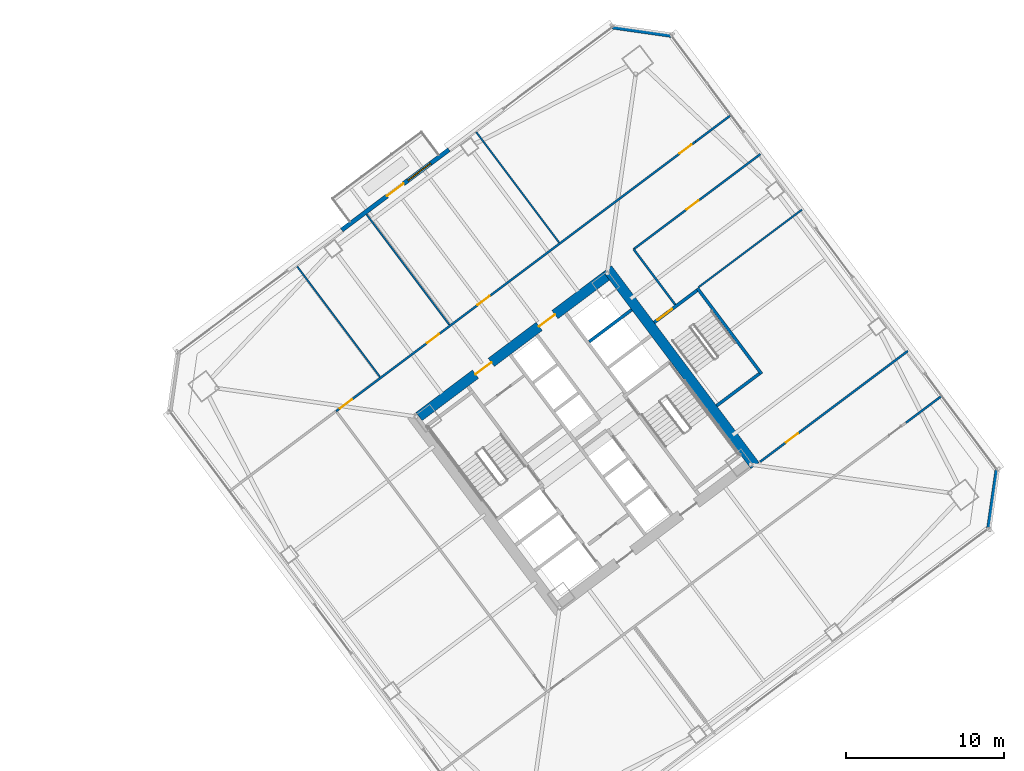
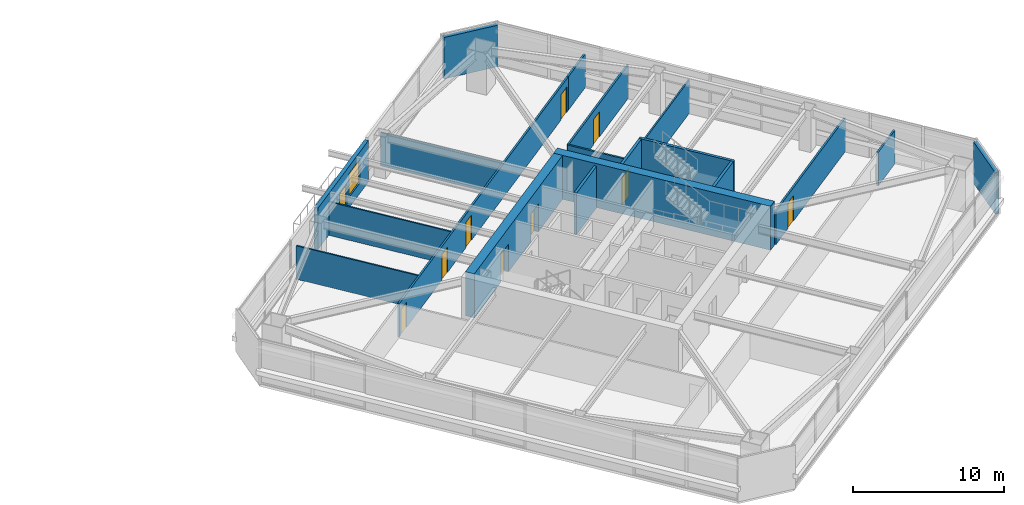
# One storey, part 36 of 44: 19 walls, 10 doors, 1 window, 11 openings.
"""IFC4 building model written with IfcOpenShell, lengths in metres."""

from ifc_helpers import new_model, si_unit, direction, frame, frame_2d, origin, place, context, subcontext, project, spatial, rectangle, extrude, material, layer, layer_set, type_object, element, fill, save


model = new_model("IFC4")

# Units and contexts
model_context = context("Model", 3, precision=1e-05, world=origin(), true_north=direction((0.0, 1.0)))
body_context = subcontext(model_context, "Body", "Model", "MODEL_VIEW")
ifc_project = project(units=[si_unit("LENGTHUNIT", "METRE"), si_unit("AREAUNIT", "SQUARE_METRE"), si_unit("VOLUMEUNIT", "CUBIC_METRE"), si_unit("PLANEANGLEUNIT", "RADIAN"), si_unit("MASSUNIT", "GRAM", prefix="KILO")], contexts=[model_context])

# Site, building, storey
site_placement = place(None, origin())
site = spatial("IfcSite", under=ifc_project, at=site_placement, CompositionType="ELEMENT")
building_placement = place(site_placement, origin())
building = spatial("IfcBuilding", under=site, at=building_placement, Name="Tashvorn Skyway Center", CompositionType="ELEMENT")
storey_placement = place(building_placement, frame((0.0, 0.0, 92.050048828125)))
storey = spatial("IfcBuildingStorey", under=building, at=storey_placement, Name="L24", CompositionType="ELEMENT", Elevation=92.050048828125)

# Wall
ifc_material_1 = material(Name="Concrete C60/75", Category="concrete")
ifc_layer_1 = layer(ifc_material_1, 0.64990234375)
ifc_layer_set_1 = layer_set([ifc_layer_1], Name="Concrete C60/75")
wall_type_1 = type_object("IfcWallType", Name="WALL-CORE-650", PredefinedType="SHEAR", material=ifc_layer_set_1)
wall_1_placement = place(storey_placement, frame((115.52392578125, 42.89306640625, 0.0), z_axis=(0.0, 0.0, 1.0), x_axis=(0.600005007985, -0.799996243986, 0.0)))
element("IfcWall", 1, at=wall_1_placement, inside=storey, type_object=wall_type_1, Name="Tower 2 L24 East Core Shear Wall", PredefinedType="SHEAR", context=body_context, shape_type="SweptSolid", body=[
    extrude(rectangle(XDim=15.60009765625, YDim=0.64990234375, at=frame_2d((7.800048828125, 0.0))), origin(), (0.0, 0.0, 1.0), 3.550048828125),
])

# Wall, openings, doors
wall_2_placement = place(storey_placement, frame((103.571044921875, 33.52197265625, 0.0), z_axis=(0.0, 0.0, 1.0), x_axis=(0.799998028465, 0.600002628705, 0.0)))
wall_2 = element("IfcWall", 2, at=wall_2_placement, inside=storey, type_object=wall_type_1, Name="Tower 2 L24 North Core Shear Wall", PredefinedType="SHEAR", context=body_context, shape_type="SweptSolid", body=[
    extrude(rectangle(XDim=14.85986328125, YDim=0.64990234375, at=frame_2d((7.429931640625, 0.0))), origin(), (0.0, 0.0, 1.0), 3.550048828125),
])
opening_1_placement = place(wall_2_placement, frame((4.47998046875, 0.0, 0.0)))
opening_1 = element("IfcOpeningElement", 3, at=opening_1_placement, cuts=wall_2, Name="Opening D-FFL-1250", PredefinedType="OPENING", context=body_context, shape_type="SweptSolid", body=[
    extrude(rectangle(XDim=1.25, YDim=2.25, at=frame_2d((0.625, 1.125))), frame((0.0, 0.3349609375, 0.0), z_axis=(0.0, -1.0, 0.0), x_axis=(1.0, 0.0, 0.0)), (0.0, 0.0, 1.0), 0.669921875),
])
opening_2_placement = place(wall_2_placement, frame((9.530029296875, 0.0, 0.0)))
opening_2 = element("IfcOpeningElement", 4, at=opening_2_placement, cuts=wall_2, Name="Opening D-FFL-1250", PredefinedType="OPENING", context=body_context, shape_type="SweptSolid", body=[
    extrude(rectangle(XDim=1.25, YDim=2.25, at=frame_2d((0.625, 1.125))), frame((0.0, 0.3349609375, 0.0), z_axis=(0.0, -1.0, 0.0), x_axis=(1.0, 0.0, 0.0)), (0.0, 0.0, 1.0), 0.669921875),
])
ifc_material_2 = material(Name="Hollow galvanized steel fire door assembly", Category="steel")
door_type_1 = type_object("IfcDoorType", Name="DOOR-FFL-1250", OperationType="NOTDEFINED", PredefinedType="DOOR", material=ifc_material_2)
door_1_placement = place(opening_1_placement, origin())
door_1 = element("IfcDoor", 5, at=door_1_placement, inside=storey, type_object=door_type_1, Name="Tower 2 L24 Core North Service Lobby Door", OperationType="SINGLE_SWING_LEFT", OverallHeight=2.25, OverallWidth=1.25, PredefinedType="DOOR", context=body_context, shape_type="SweptSolid", body=[
    extrude(rectangle(XDim=1.25, YDim=2.25, at=frame_2d((0.625, 1.125))), frame((0.0, 0.02490234375, 0.0), z_axis=(0.0, -1.0, 0.0), x_axis=(1.0, 0.0, 0.0)), (0.0, 0.0, 1.0), 0.050048828125),
])
fill(opening_1, door_1)
door_2_placement = place(opening_2_placement, origin())
door_2 = element("IfcDoor", 6, at=door_2_placement, inside=storey, type_object=door_type_1, Name="Tower 2 L24 Core North Lift Lobby Door", OperationType="SINGLE_SWING_RIGHT", OverallHeight=2.25, OverallWidth=1.25, PredefinedType="DOOR", context=body_context, shape_type="SweptSolid", body=[
    extrude(rectangle(XDim=1.25, YDim=2.25, at=frame_2d((0.625, 1.125))), frame((0.0, 0.02490234375, 0.0), z_axis=(0.0, -1.0, 0.0), x_axis=(1.0, 0.0, 0.0)), (0.0, 0.0, 1.0), 0.050048828125),
])
fill(opening_2, door_2)

# Wall, openings, door, window
ifc_material_3 = material(Name="Precast concrete C40/50", Category="concrete")
ifc_layer_2 = layer(ifc_material_3, 0.280029296875)
ifc_layer_set_2 = layer_set([ifc_layer_2], Name="Precast concrete C40/50")
wall_type_2 = type_object("IfcWallType", Name="WALL-EXT-280", PredefinedType="SOLIDWALL", material=ifc_layer_set_2)
wall_3_placement = place(storey_placement, frame((98.672119140625, 45.35400390625, 0.0), z_axis=(0.0, 0.0, 1.0), x_axis=(0.799986212866, 0.600018382406, 0.0)))
wall_3 = element("IfcWall", 7, at=wall_3_placement, inside=storey, type_object=wall_type_2, Name="Tower 2 L24 North Terrace Portal Wall", PredefinedType="SOLIDWALL", context=body_context, shape_type="SweptSolid", body=[
    extrude(rectangle(XDim=8.5, YDim=0.280029296875, at=frame_2d((4.25, 0.0))), origin(), (0.0, 0.0, 1.0), 3.349853515625),
])
opening_3_placement = place(wall_3_placement, frame((3.60009765625, 0.0, 0.0)))
opening_3 = element("IfcOpeningElement", 8, at=opening_3_placement, cuts=wall_3, Name="Opening D-TER-1300", PredefinedType="OPENING", context=body_context, shape_type="SweptSolid", body=[
    extrude(rectangle(XDim=1.300048828125, YDim=2.14990234375, at=frame_2d((0.64990234375, 1.074951171875))), frame((0.0, 0.14990234375, 0.0), z_axis=(0.0, -1.0, 0.0), x_axis=(1.0, 0.0, 0.0)), (0.0, 0.0, 1.0), 0.300048828125),
])
opening_4_placement = place(wall_3_placement, frame((5.239990234375, 0.0, 0.85009765625)))
opening_4 = element("IfcOpeningElement", 9, at=opening_4_placement, cuts=wall_3, Name="Opening WIN-1800", PredefinedType="OPENING", context=body_context, shape_type="SweptSolid", body=[
    extrude(rectangle(XDim=1.800048828125, YDim=1.919921875, at=frame_2d((0.89990234375, 0.9599609375))), frame((0.0, 0.14990234375, 0.0), z_axis=(0.0, -1.0, 0.0), x_axis=(1.0, 0.0, 0.0)), (0.0, 0.0, 1.0), 0.300048828125),
])
ifc_material_4 = material(Name="Thermally broken bronze-anodized aluminium 6063-T6", Category="aluminium")
door_type_2 = type_object("IfcDoorType", Name="DOOR-TERR-1300", OperationType="NOTDEFINED", PredefinedType="DOOR", material=ifc_material_4)
door_3_placement = place(opening_3_placement, origin())
door_3 = element("IfcDoor", 10, at=door_3_placement, inside=storey, type_object=door_type_2, Name="Tower 2 L24 Terrace Access Door", OperationType="SINGLE_SWING_LEFT", OverallHeight=2.14990234375, OverallWidth=1.300048828125, PredefinedType="DOOR", context=body_context, shape_type="SweptSolid", body=[
    extrude(rectangle(XDim=1.300048828125, YDim=2.14990234375, at=frame_2d((0.64990234375, 1.074951171875))), frame((0.0, 0.02490234375, 0.0), z_axis=(0.0, -1.0, 0.0), x_axis=(1.0, 0.0, 0.0)), (0.0, 0.0, 1.0), 0.050048828125),
])
fill(opening_3, door_3)
ifc_material_5 = material(Name="Low-E solar-control double insulating safety glass", Category="glass")
window_type = type_object("IfcWindowType", Name="WIN-TERR-1800", PartitioningType="SINGLE_PANEL", PredefinedType="WINDOW", material=ifc_material_5)
window_placement = place(opening_4_placement, origin())
window = element("IfcWindow", 11, at=window_placement, inside=storey, type_object=window_type, Name="Tower 2 L24 Terrace Window", OverallHeight=1.919921875, OverallWidth=1.800048828125, PartitioningType="SINGLE_PANEL", PredefinedType="WINDOW", context=body_context, shape_type="SweptSolid", body=[
    extrude(rectangle(XDim=1.800048828125, YDim=1.919921875, at=frame_2d((0.89990234375, 0.9599609375))), frame((0.0, 0.030029296875, 0.0), z_axis=(0.0, -1.0, 0.0), x_axis=(1.0, 0.0, 0.0)), (0.0, 0.0, 1.0), 0.06005859375),
])
fill(opening_4, window)

# Walls
for number, where, z_axis, x_axis, name in (
    (12, (115.820068359375, 58.239990234375, 0.0), (0.0, 0.0, 1.0), (0.989948214866, -0.141430307517, 0.0), "Tower 2 L24 NE Precast Chamfer Wall"),
    (13, (140.239990234375, 30.179931640625, 0.0), (0.0, 0.0, 1.0), (-0.141430307517, -0.989948214866, 0.0), "Tower 2 L24 SE Precast Chamfer Wall"),
):
    element("IfcWall", number, at=place(storey_placement, frame(where, z_axis=z_axis, x_axis=x_axis)), inside=storey, type_object=wall_type_2, Name=name, PredefinedType="SOLIDWALL", context=body_context, shape_type="SweptSolid", body=[
        extrude(rectangle(XDim=3.818359375, YDim=0.280029296875, at=frame_2d((1.9091796875, 0.0))), origin(), (0.0, 0.0, 1.0), 3.349853515625),
    ])
ifc_material_6 = material(Name="Gypsum board on cold-formed steel stud framing", Category="steel")
ifc_layer_3 = layer(ifc_material_6, 0.110107421875)
ifc_layer_set_3 = layer_set([ifc_layer_3], Name="Gypsum board on cold-formed steel stud framing")
wall_type_3 = type_object("IfcWallType", Name="WALL-PART-110", PredefinedType="PARTITIONING", material=ifc_layer_set_3)
for number, where, z_axis, x_axis, name in (
    (14, (101.092041015625, 36.0439453125, 0.0), (0.0, 0.0, 1.0), (-0.6, 0.8, 0.0), "Tower 2 L24 North Suite Partition 1"),
    (15, (105.491943359375, 39.343994140625, 0.0), (0.0, 0.0, 1.0), (-0.6, 0.8, 0.0), "Tower 2 L24 North Suite Partition 2"),
    (16, (112.451904296875, 44.56396484375, 0.0), (0.0, 0.0, 1.0), (-0.6, 0.8, 0.0), "Tower 2 L24 North Suite Partition 3"),
):
    element("IfcWall", number, at=place(storey_placement, frame(where, z_axis=z_axis, x_axis=x_axis)), inside=storey, type_object=wall_type_3, Name=name, PredefinedType="PARTITIONING", context=body_context, shape_type="SweptSolid", body=[
        extrude(rectangle(XDim=8.75, YDim=0.110107421875, at=frame_2d((4.375, 0.0))), origin(), (0.0, 0.0, 1.0), 2.702880859375),
    ])
wall_4_placement = place(storey_placement, frame((127.864013671875, 46.64794921875, 0.0), z_axis=(0.0, 0.0, 1.0), x_axis=(-0.800007145523, -0.599990472518, 0.0)))
element("IfcWall", 17, at=wall_4_placement, inside=storey, type_object=wall_type_3, Name="Tower 2 L24 East Suite Partition 1", PredefinedType="PARTITIONING", context=body_context, shape_type="SweptSolid", body=[
    extrude(rectangle(XDim=8.199951171875, YDim=0.110107421875, at=frame_2d((4.10009765625, 0.0))), origin(), (0.0, 0.0, 1.0), 2.702880859375),
])
ifc_layer_4 = layer(ifc_material_6, 0.135009765625)
ifc_layer_set_4 = layer_set([ifc_layer_4], Name="Gypsum board on cold-formed steel stud framing")
wall_type_4 = type_object("IfcWallType", Name="WALL-PART-135", PredefinedType="PARTITIONING", material=ifc_layer_set_4)
wall_5_placement = place(storey_placement, frame((119.823974609375, 40.617919921875, 0.0), z_axis=(0.0, 0.0, 1.0), x_axis=(-0.599982243973, 0.800013316712, 0.0)))
element("IfcWall", 18, at=wall_5_placement, inside=storey, type_object=wall_type_4, Name="Tower 2 L24 Stair 3 Access Corridor Wall", PredefinedType="PARTITIONING", context=body_context, shape_type="SweptSolid", body=[
    extrude(rectangle(XDim=4.39990234375, YDim=0.135009765625, at=frame_2d((2.199951171875, 0.0))), origin(), (0.0, 0.0, 1.0), 2.702880859375),
])

# Wall, openings, doors
wall_6_placement = place(storey_placement, frame((98.31591796875, 33.862060546875, 0.0), z_axis=(0.0, 0.0, 1.0), x_axis=(0.8000041147, 0.599994513695, 0.0)))
wall_6 = element("IfcWall", 19, at=wall_6_placement, inside=storey, type_object=wall_type_4, Name="Tower 2 L24 North Suite Wall", PredefinedType="PARTITIONING", context=body_context, shape_type="SweptSolid", body=[
    extrude(rectangle(XDim=28.47998046875, YDim=0.135009765625, at=frame_2d((14.239990234375, 0.0))), origin(), (0.0, 0.0, 1.0), 2.702880859375),
])
opening_5_placement = place(wall_6_placement, frame((0.300048828125, 0.0, 0.0)))
opening_5 = element("IfcOpeningElement", 20, at=opening_5_placement, cuts=wall_6, Name="Opening D-INT-950", PredefinedType="OPENING", context=body_context, shape_type="SweptSolid", body=[
    extrude(rectangle(XDim=0.949951171875, YDim=2.050048828125, at=frame_2d((0.47509765625, 1.02490234375))), frame((0.0, 0.077392578125, 0.0), z_axis=(0.0, -1.0, 0.0), x_axis=(1.0, 0.0, 0.0)), (0.0, 0.0, 1.0), 0.155029296875),
])
opening_6_placement = place(wall_6_placement, frame((7.194580078125, 0.0, 0.0)))
opening_6 = element("IfcOpeningElement", 21, at=opening_6_placement, cuts=wall_6, Name="Opening D-INT-950", PredefinedType="OPENING", context=body_context, shape_type="SweptSolid", body=[
    extrude(rectangle(XDim=0.949951171875, YDim=2.050048828125, at=frame_2d((0.47509765625, 1.02490234375))), frame((0.0, 0.077392578125, 0.0), z_axis=(0.0, -1.0, 0.0), x_axis=(1.0, 0.0, 0.0)), (0.0, 0.0, 1.0), 0.155029296875),
])
opening_7_placement = place(wall_6_placement, frame((11.22216796875, 0.0, 0.0)))
opening_7 = element("IfcOpeningElement", 22, at=opening_7_placement, cuts=wall_6, Name="Opening D-INT-950", PredefinedType="OPENING", context=body_context, shape_type="SweptSolid", body=[
    extrude(rectangle(XDim=0.949951171875, YDim=2.050048828125, at=frame_2d((0.47509765625, 1.02490234375))), frame((0.0, 0.077392578125, 0.0), z_axis=(0.0, -1.0, 0.0), x_axis=(1.0, 0.0, 0.0)), (0.0, 0.0, 1.0), 0.155029296875),
])
opening_8_placement = place(wall_6_placement, frame((27.22998046875, 0.0, 0.0)))
opening_8 = element("IfcOpeningElement", 23, at=opening_8_placement, cuts=wall_6, Name="Opening D-INT-950", PredefinedType="OPENING", context=body_context, shape_type="SweptSolid", body=[
    extrude(rectangle(XDim=0.949951171875, YDim=2.050048828125, at=frame_2d((0.47509765625, 1.02490234375))), frame((0.0, 0.077392578125, 0.0), z_axis=(0.0, -1.0, 0.0), x_axis=(1.0, 0.0, 0.0)), (0.0, 0.0, 1.0), 0.155029296875),
])
ifc_material_7 = material(Name="Solid-core architectural oak veneer door")
door_type_3 = type_object("IfcDoorType", Name="DOOR-INT-950", OperationType="NOTDEFINED", PredefinedType="DOOR", material=ifc_material_7)
door_4_placement = place(opening_5_placement, origin())
door_4 = element("IfcDoor", 24, at=door_4_placement, inside=storey, type_object=door_type_3, Name="Tower 2 L24 Gallery Showroom Door", OperationType="SINGLE_SWING_RIGHT", OverallHeight=2.050048828125, OverallWidth=0.949951171875, PredefinedType="DOOR", context=body_context, shape_type="SweptSolid", body=[
    extrude(rectangle(XDim=0.949951171875, YDim=2.050048828125, at=frame_2d((0.47509765625, 1.02490234375))), frame((0.0, 0.02490234375, 0.0), z_axis=(0.0, -1.0, 0.0), x_axis=(1.0, 0.0, 0.0)), (0.0, 0.0, 1.0), 0.050048828125),
])
fill(opening_5, door_4)
door_5_placement = place(opening_6_placement, origin())
door_5 = element("IfcDoor", 25, at=door_5_placement, inside=storey, type_object=door_type_3, Name="Tower 2 L24 Gallery Showroom Door", OperationType="SINGLE_SWING_LEFT", OverallHeight=2.050048828125, OverallWidth=0.949951171875, PredefinedType="DOOR", context=body_context, shape_type="SweptSolid", body=[
    extrude(rectangle(XDim=0.949951171875, YDim=2.050048828125, at=frame_2d((0.47509765625, 1.02490234375))), frame((0.0, 0.02490234375, 0.0), z_axis=(0.0, -1.0, 0.0), x_axis=(1.0, 0.0, 0.0)), (0.0, 0.0, 1.0), 0.050048828125),
])
fill(opening_6, door_5)
door_6_placement = place(opening_7_placement, origin())
door_6 = element("IfcDoor", 26, at=door_6_placement, inside=storey, type_object=door_type_3, Name="Tower 2 L24 Catering Pantry Door", OperationType="SINGLE_SWING_RIGHT", OverallHeight=2.050048828125, OverallWidth=0.949951171875, PredefinedType="DOOR", context=body_context, shape_type="SweptSolid", body=[
    extrude(rectangle(XDim=0.949951171875, YDim=2.050048828125, at=frame_2d((0.47509765625, 1.02490234375))), frame((0.0, 0.02490234375, 0.0), z_axis=(0.0, -1.0, 0.0), x_axis=(1.0, 0.0, 0.0)), (0.0, 0.0, 1.0), 0.050048828125),
])
fill(opening_7, door_6)
door_7_placement = place(opening_8_placement, origin())
door_7 = element("IfcDoor", 27, at=door_7_placement, inside=storey, type_object=door_type_3, Name="Tower 2 L24 Conference Room Door", OperationType="SINGLE_SWING_LEFT", OverallHeight=2.050048828125, OverallWidth=0.949951171875, PredefinedType="DOOR", context=body_context, shape_type="SweptSolid", body=[
    extrude(rectangle(XDim=0.949951171875, YDim=2.050048828125, at=frame_2d((0.47509765625, 1.02490234375))), frame((0.0, 0.02490234375, 0.0), z_axis=(0.0, -1.0, 0.0), x_axis=(1.0, 0.0, 0.0)), (0.0, 0.0, 1.0), 0.050048828125),
])
fill(opening_8, door_7)

# Walls
wall_7_placement = place(storey_placement, frame((121.10009765625, 50.949951171875, 0.0), z_axis=(0.0, 0.0, 1.0), x_axis=(0.799989647378, 0.600013803248, 0.0)))
element("IfcWall", 28, at=wall_7_placement, inside=storey, type_object=wall_type_4, Name="Tower 2 L24 North-East Suite South Wall", PredefinedType="PARTITIONING", context=body_context, shape_type="SweptSolid", body=[
    extrude(rectangle(XDim=2.829833984375, YDim=0.135009765625, at=frame_2d((1.4150390625, 0.0))), origin(), (0.0, 0.0, 1.0), 2.702880859375),
])
wall_8_placement = place(storey_placement, frame((134.4619140625, 33.134033203125, 0.0), z_axis=(0.0, 0.0, 1.0), x_axis=(0.8000207031, 0.599972394874, 0.0)))
element("IfcWall", 29, at=wall_8_placement, inside=storey, type_object=wall_type_4, Name="Tower 2 L24 South-East Suite North Wall", PredefinedType="PARTITIONING", context=body_context, shape_type="SweptSolid", body=[
    extrude(rectangle(XDim=2.830078125, YDim=0.135009765625, at=frame_2d((1.4150390625, 0.0))), origin(), (0.0, 0.0, 1.0), 2.702880859375),
])

# Wall, opening, door
wall_9_placement = place(storey_placement, frame((125.22412109375, 50.16796875, 0.0), z_axis=(0.0, 0.0, 1.0), x_axis=(-0.8, -0.6, 0.0)))
wall_9 = element("IfcWall", 30, at=wall_9_placement, inside=storey, type_object=wall_type_4, Name="Tower 2 L24 East Suite North Wall", PredefinedType="PARTITIONING", context=body_context, shape_type="SweptSolid", body=[
    extrude(rectangle(XDim=10.050048828125, YDim=0.135009765625, at=frame_2d((5.02490234375, 0.0))), origin(), (0.0, 0.0, 1.0), 2.702880859375),
])
opening_9_placement = place(wall_9_placement, frame((4.89990234375, 0.0, 0.0)))
opening_9 = element("IfcOpeningElement", 31, at=opening_9_placement, cuts=wall_9, Name="Opening D-INT-950", PredefinedType="OPENING", context=body_context, shape_type="SweptSolid", body=[
    extrude(rectangle(XDim=0.949951171875, YDim=2.050048828125, at=frame_2d((0.47509765625, 1.02490234375))), frame((0.0, 0.077392578125, 0.0), z_axis=(0.0, -1.0, 0.0), x_axis=(1.0, 0.0, 0.0)), (0.0, 0.0, 1.0), 0.155029296875),
])
door_8_placement = place(opening_9_placement, origin())
door_8 = element("IfcDoor", 32, at=door_8_placement, inside=storey, type_object=door_type_3, Name="Tower 2 L24 Conference Room Door", OperationType="SINGLE_SWING_RIGHT", OverallHeight=2.050048828125, OverallWidth=0.949951171875, PredefinedType="DOOR", context=body_context, shape_type="SweptSolid", body=[
    extrude(rectangle(XDim=0.949951171875, YDim=2.050048828125, at=frame_2d((0.47509765625, 1.02490234375))), frame((0.0, 0.02490234375, 0.0), z_axis=(0.0, -1.0, 0.0), x_axis=(1.0, 0.0, 0.0)), (0.0, 0.0, 1.0), 0.050048828125),
])
fill(opening_9, door_8)

wall_10_placement = place(storey_placement, frame((125.2080078125, 30.656005859375, 0.0), z_axis=(0.0, 0.0, 1.0), x_axis=(0.8, 0.6, 0.0)))
wall_10 = element("IfcWall", 33, at=wall_10_placement, inside=storey, type_object=wall_type_4, Name="Tower 2 L24 East Suite South Wall", PredefinedType="PARTITIONING", context=body_context, shape_type="SweptSolid", body=[
    extrude(rectangle(XDim=11.719970703125, YDim=0.135009765625, at=frame_2d((5.85986328125, 0.0))), origin(), (0.0, 0.0, 1.0), 2.702880859375),
])
opening_10_placement = place(wall_10_placement, frame((2.044921875, 0.0, 0.0)))
opening_10 = element("IfcOpeningElement", 34, at=opening_10_placement, cuts=wall_10, Name="Opening D-INT-950", PredefinedType="OPENING", context=body_context, shape_type="SweptSolid", body=[
    extrude(rectangle(XDim=0.949951171875, YDim=2.050048828125, at=frame_2d((0.47509765625, 1.02490234375))), frame((0.0, 0.077392578125, 0.0), z_axis=(0.0, -1.0, 0.0), x_axis=(1.0, 0.0, 0.0)), (0.0, 0.0, 1.0), 0.155029296875),
])
door_9_placement = place(opening_10_placement, origin())
door_9 = element("IfcDoor", 35, at=door_9_placement, inside=storey, type_object=door_type_3, Name="Tower 2 L24 Public Restroom Door", OperationType="SINGLE_SWING_LEFT", OverallHeight=2.050048828125, OverallWidth=0.949951171875, PredefinedType="DOOR", context=body_context, shape_type="SweptSolid", body=[
    extrude(rectangle(XDim=0.949951171875, YDim=2.050048828125, at=frame_2d((0.47509765625, 1.02490234375))), frame((0.0, 0.02490234375, 0.0), z_axis=(0.0, -1.0, 0.0), x_axis=(1.0, 0.0, 0.0)), (0.0, 0.0, 1.0), 0.050048828125),
])
fill(opening_10, door_9)

# Walls
ifc_material_8 = material(Name="Concrete C40/50", Category="concrete")
ifc_layer_5 = layer(ifc_material_8, 0.199951171875)
ifc_layer_set_5 = layer_set([ifc_layer_5], Name="Concrete C40/50")
wall_type_5 = type_object("IfcWallType", Name="WALL-SHAFT-200", PredefinedType="SOLIDWALL", material=ifc_layer_set_5)
wall_11_placement = place(storey_placement, frame((114.360107421875, 38.27001953125, 0.0), z_axis=(0.0, 0.0, 1.0), x_axis=(0.799973995579, 0.600034670996, 0.0)))
element("IfcWall", 36, at=wall_11_placement, inside=storey, type_object=wall_type_5, Name="Tower 2 L24 High-Rise Shaft Divider", PredefinedType="SOLIDWALL", context=body_context, shape_type="SweptSolid", body=[
    extrude(rectangle(XDim=3.3798828125, YDim=0.199951171875, at=frame_2d((1.68994140625, 0.0))), origin(), (0.0, 0.0, 1.0), 3.349853515625),
])
ifc_layer_6 = layer(ifc_material_8, 0.199951171875)
ifc_layer_set_6 = layer_set([ifc_layer_6], Name="Concrete C40/50")
wall_type_6 = type_object("IfcWallType", Name="WALL-STSHF-200", PredefinedType="SHEAR", material=ifc_layer_set_6)
wall_12_placement = place(storey_placement, frame((125.303955078125, 36.22802734375, 0.0), z_axis=(0.0, 0.0, 1.0), x_axis=(-0.59998851072, 0.800008616831, 0.0)))
element("IfcWall", 37, at=wall_12_placement, inside=storey, type_object=wall_type_6, Name="Tower 2 L24 Stair 3 Outer Wall", PredefinedType="SHEAR", context=body_context, shape_type="SweptSolid", body=[
    extrude(rectangle(XDim=6.7998046875, YDim=0.199951171875, at=frame_2d((3.39990234375, 0.0))), origin(), (0.0, 0.0, 1.0), 3.349853515625),
])

# Wall, opening, door
wall_13_placement = place(storey_placement, frame((121.2041015625, 41.528076171875, 0.0), z_axis=(0.0, 0.0, 1.0), x_axis=(-0.800017232136, -0.599977023131, 0.0)))
wall_13 = element("IfcWall", 38, at=wall_13_placement, inside=storey, type_object=wall_type_6, Name="Tower 2 L24 Stair 3 Enclosure Wall", PredefinedType="SHEAR", context=body_context, shape_type="SweptSolid", body=[
    extrude(rectangle(XDim=3.400146484375, YDim=0.199951171875, at=frame_2d((1.7001953125, 0.0))), origin(), (0.0, 0.0, 1.0), 3.349853515625),
])
opening_11_placement = place(wall_13_placement, frame((1.97509765625, 0.0, 0.0)))
opening_11 = element("IfcOpeningElement", 39, at=opening_11_placement, cuts=wall_13, Name="Opening D-ST-1150", PredefinedType="OPENING", context=body_context, shape_type="SweptSolid", body=[
    extrude(rectangle(XDim=1.14990234375, YDim=2.199951171875, at=frame_2d((0.574951171875, 1.10009765625))), frame((0.0, 0.10986328125, 0.0), z_axis=(0.0, -1.0, 0.0), x_axis=(1.0, 0.0, 0.0)), (0.0, 0.0, 1.0), 0.219970703125),
])
door_type_4 = type_object("IfcDoorType", Name="DOOR-STAIR-1150", OperationType="NOTDEFINED", PredefinedType="DOOR", material=ifc_material_2)
door_10_placement = place(opening_11_placement, origin())
door_10 = element("IfcDoor", 40, at=door_10_placement, inside=storey, type_object=door_type_4, Name="Tower 2 L24 Exit Stair 3 Door", OperationType="SINGLE_SWING_RIGHT", OverallHeight=2.199951171875, OverallWidth=1.14990234375, PredefinedType="DOOR", context=body_context, shape_type="SweptSolid", body=[
    extrude(rectangle(XDim=1.14990234375, YDim=2.199951171875, at=frame_2d((0.574951171875, 1.10009765625))), frame((0.0, 0.02490234375, 0.0), z_axis=(0.0, -1.0, 0.0), x_axis=(1.0, 0.0, 0.0)), (0.0, 0.0, 1.0), 0.050048828125),
])
fill(opening_11, door_10)

# Wall
wall_14_placement = place(storey_placement, frame((122.444091796875, 34.2080078125, 0.0), z_axis=(0.0, 0.0, 1.0), x_axis=(0.79999138319, 0.600011488909, 0.0)))
element("IfcWall", 41, at=wall_14_placement, inside=storey, type_object=wall_type_6, Name="Tower 2 L24 Stair 3 South Wall", PredefinedType="SHEAR", context=body_context, shape_type="SweptSolid", body=[
    extrude(rectangle(XDim=3.39990234375, YDim=0.199951171875, at=frame_2d((1.699951171875, 0.0))), origin(), (0.0, 0.0, 1.0), 3.349853515625),
])

save(model, "model.ifc")
